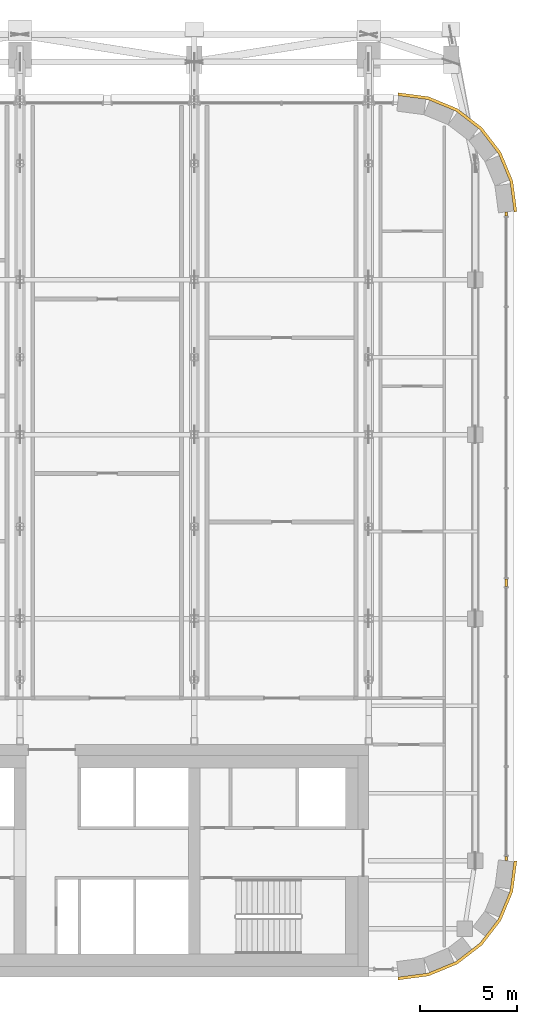
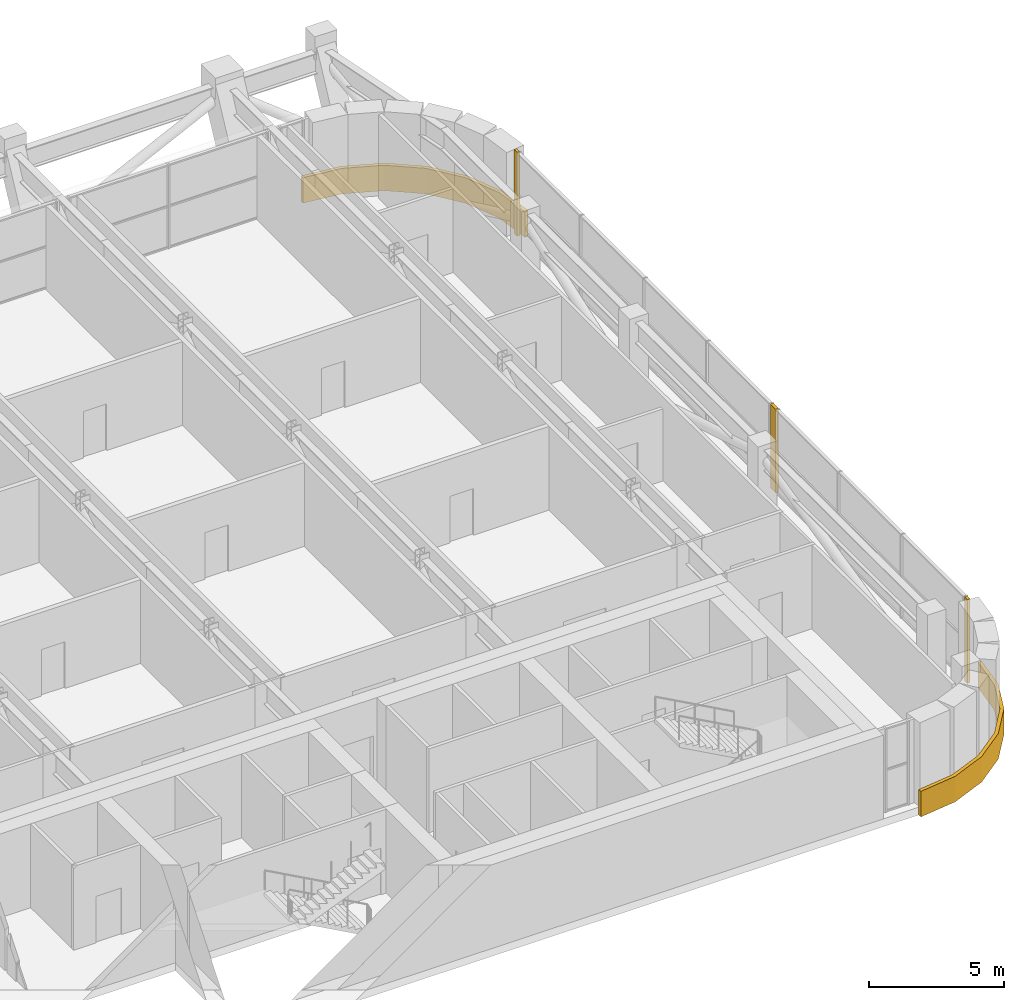
# One storey, part 28 of 28: 5 coverings.
"""IFC4 building model written with IfcOpenShell, lengths in metres."""

import ifcopenshell
import ifcopenshell.guid

model = None  # the IFC model being written
_history = None  # IfcOwnerHistory: only IFC2X3 demands one
_inside = {}  # id of a spatial element -> (the spatial element, [elements in it])
_under = {}  # id of a project, library or spatial element -> (it, [spatial elements below it])
_declared = {}  # id of a project -> (the project, [libraries it declares])
_typed = {}  # id of a type object -> (the type object, [elements of that type])
_made_of = {}  # id of a material, layer set ... -> (it, [elements and type objects made of it])


def new_model(schema):
    """Start an empty IFC model of exactly this schema.

    Asked for "IFC4X3", IfcOpenShell would pick the latest addendum, in which some entities
    have other attributes; the version numbers below select the first issue.
    IFC2X3 requires an IfcOwnerHistory on every rooted entity: one is made here for all.
    """
    global model, _history
    if schema == "IFC4X3":
        model = ifcopenshell.file(schema_version=(4, 3, 0, 0))
    else:
        model = ifcopenshell.file(schema=schema)
    _inside.clear()
    _under.clear()
    _declared.clear()
    _typed.clear()
    _made_of.clear()
    _history = None
    if model.schema == "IFC2X3":
        org = make("IfcOrganization", Name="unknown")
        user = make(
            "IfcPersonAndOrganization",
            ThePerson=make("IfcPerson", FamilyName="unknown"),
            TheOrganization=org,
        )
        app = make(
            "IfcApplication",
            ApplicationDeveloper=org,
            Version="unknown",
            ApplicationFullName="unknown",
            ApplicationIdentifier="unknown",
        )
        _history = make(
            "IfcOwnerHistory",
            OwningUser=user,
            OwningApplication=app,
            ChangeAction="ADDED",
            CreationDate=0,
        )
    return model


def make(cls, **values):
    """One entity of the class cls with the attributes given. An attribute that is None is left unset."""
    return model.create_entity(
        cls, **{name: value for name, value in values.items() if value is not None}
    )


def rooted(cls, **values):
    """An entity with a GlobalId (a new one), such as an element, a storey or a relation."""
    return make(cls, GlobalId=ifcopenshell.guid.new(), OwnerHistory=_history, **values)


def si_unit(unit_type, name, prefix=None):
    """IfcSIUnit, for example si_unit("LENGTHUNIT", "METRE", prefix="MILLI")."""
    return make("IfcSIUnit", UnitType=unit_type, Prefix=prefix, Name=name)


def assignment(units):
    """IfcUnitAssignment: the units of a project."""
    return None if units is None else make("IfcUnitAssignment", Units=units)


def point(xyz):
    """IfcCartesianPoint."""
    return None if xyz is None else make("IfcCartesianPoint", Coordinates=xyz)


def direction(xyz):
    """IfcDirection."""
    return None if xyz is None else make("IfcDirection", DirectionRatios=xyz)


def frame(location, z_axis=None, x_axis=None):
    """IfcAxis2Placement3D, a coordinate frame: its origin and axes. An axis left out is left unset."""
    return make(
        "IfcAxis2Placement3D",
        Location=point(location),
        Axis=direction(z_axis),
        RefDirection=direction(x_axis),
    )


def frame_2d(location, x_axis=None):
    """IfcAxis2Placement2D, a coordinate frame in the plane: its origin and x axis."""
    return make(
        "IfcAxis2Placement2D", Location=point(location), RefDirection=direction(x_axis)
    )


def origin():
    """The frame at (0, 0, 0) with its axes left unset."""
    return frame((0.0, 0.0, 0.0))


def origin_2d():
    """The frame at (0, 0) in the plane with its x axis left unset."""
    return frame_2d((0.0, 0.0))


def place(relative_to, where):
    """IfcLocalPlacement: puts the frame where relative to a parent placement (None: the world)."""
    return make(
        "IfcLocalPlacement", PlacementRelTo=relative_to, RelativePlacement=where
    )


def context(
    kind, dimensions, precision=None, world=None, true_north=None, identifier=None
):
    """IfcGeometricRepresentationContext, for example the 3D "Model" context."""
    return make(
        "IfcGeometricRepresentationContext",
        ContextIdentifier=identifier,
        ContextType=kind,
        CoordinateSpaceDimension=dimensions,
        Precision=precision,
        WorldCoordinateSystem=world,
        TrueNorth=true_north,
    )


def subcontext(parent, identifier, kind, view, scale=None):
    """IfcGeometricRepresentationSubContext, for example "Body" below "Model"."""
    return make(
        "IfcGeometricRepresentationSubContext",
        ContextIdentifier=identifier,
        ContextType=kind,
        ParentContext=parent,
        TargetScale=scale,
        TargetView=view,
    )


def project(units=None, contexts=None):
    """IfcProject with its units and contexts."""
    return rooted(
        "IfcProject",
        Name="project",
        RepresentationContexts=contexts,
        UnitsInContext=assignment(units),
    )


def spatial(cls, under=None, at=None, **own):
    """A site, building, storey or space (cls), placed at a placement, below another one or the project."""
    s = rooted(cls, ObjectPlacement=at, **own)
    if under is not None:
        _under.setdefault(under.id(), (under, []))[1].append(s)
    return s


def polyline(points):
    """IfcPolyline through the points."""
    return make("IfcPolyline", Points=[point(p) for p in points])


def profile(cls, at=None, kind="AREA", **sizes):
    """A parametric profile (cls). Its sizes go by their IFC names, for example OverallWidth=200.0."""
    return make(cls, ProfileType=kind, Position=at, **sizes)


def rectangle(**sizes):
    """IfcRectangleProfileDef."""
    return profile("IfcRectangleProfileDef", **sizes)


def outline(outer, holes=None, kind="AREA"):
    """IfcArbitraryClosedProfileDef: a profile drawn as a closed curve; with holes, ...WithVoids."""
    if holes is None:
        return make("IfcArbitraryClosedProfileDef", ProfileType=kind, OuterCurve=outer)
    return make(
        "IfcArbitraryProfileDefWithVoids",
        ProfileType=kind,
        OuterCurve=outer,
        InnerCurves=holes,
    )


def extrude(swept, where, along, depth):
    """IfcExtrudedAreaSolid: the profile swept, set in the frame where, extruded along a direction by depth."""
    return make(
        "IfcExtrudedAreaSolid",
        SweptArea=swept,
        Position=where,
        ExtrudedDirection=direction(along),
        Depth=depth,
    )


def shape(context_of_items, identifier, shape_type, items):
    """IfcShapeRepresentation: the items that make up one representation, for example the "Body"."""
    return make(
        "IfcShapeRepresentation",
        ContextOfItems=context_of_items,
        RepresentationIdentifier=identifier,
        RepresentationType=shape_type,
        Items=items,
    )


def material(Name=None, Category=None):
    """IfcMaterial."""
    return make("IfcMaterial", Name=Name, Category=Category)


def layer(
    of_material, thickness, ventilated=None, Name=None, Category=None, Priority=None
):
    """IfcMaterialLayer: one layer of a wall or slab, of a material (None: an air gap)."""
    return make(
        "IfcMaterialLayer",
        Material=of_material,
        LayerThickness=thickness,
        IsVentilated=ventilated,
        Name=Name,
        Category=Category,
        Priority=Priority,
    )


def layer_set(layers, Name=None):
    """IfcMaterialLayerSet."""
    return make("IfcMaterialLayerSet", MaterialLayers=layers, LayerSetName=Name)


def made_of(thing, what):
    """Note that an element or type object is made of a material, layer set ...; save() writes the relation."""
    if what is not None:
        _made_of.setdefault(what.id(), (what, []))[1].append(thing)
    return thing


def type_object(cls, material=None, **own):
    """A type object (cls), such as IfcWallType, which elements share."""
    return made_of(rooted(cls, **own), material)


def element(
    cls,
    number,
    at=None,
    inside=None,
    cuts=None,
    type_object=None,
    material=None,
    context=None,
    identifier="Body",
    shape_type=None,
    held_by="IfcProductDefinitionShape",
    body=None,
    shapes=None,
    **own,
):
    """One element of the class cls, such as IfcWall. Its Tag is "e" and its number.

    at: its placement. inside: the storey or other place that contains it. cuts: it is an
    opening in that element (IfcRelVoidsElement). A single representation is given by context,
    identifier, shape_type and body (its items); several are given by shapes. held_by: the class
    of the entity that holds the representations. save() writes the other relations.
    """
    e = rooted(cls, Tag="e%d" % number, ObjectPlacement=at, **own)
    if body is not None:
        shapes = [shape(context, identifier, shape_type, body)]
    if shapes is not None:
        e.Representation = make(held_by, Representations=shapes)
    if inside is not None:
        _inside.setdefault(inside.id(), (inside, []))[1].append(e)
    if cuts is not None:
        rooted(
            "IfcRelVoidsElement", RelatingBuildingElement=cuts, RelatedOpeningElement=e
        )
    if type_object is not None:
        _typed.setdefault(type_object.id(), (type_object, []))[1].append(e)
    return made_of(e, material)


def aggregate(whole, parts):
    """IfcRelAggregates: a whole, such as a stair, and the parts it consists of."""
    return rooted("IfcRelAggregates", RelatingObject=whole, RelatedObjects=parts)


def save(model, path):
    """Write the relations noted so far, then the file.

    IfcRelAggregates (storeys below a building ...), IfcRelContainedInSpatialStructure (elements
    in a storey), IfcRelDefinesByType, IfcRelAssociatesMaterial and IfcRelDeclares: one each for
    every whole, place, type object, material and project.
    """
    for whole, parts in _under.values():
        aggregate(whole, parts)
    for where, things in _inside.values():
        rooted(
            "IfcRelContainedInSpatialStructure",
            RelatedElements=things,
            RelatingStructure=where,
        )
    for kind, things in _typed.values():
        rooted("IfcRelDefinesByType", RelatedObjects=things, RelatingType=kind)
    for what, things in _made_of.values():
        rooted("IfcRelAssociatesMaterial", RelatedObjects=things, RelatingMaterial=what)
    for by, libraries in _declared.values():
        rooted("IfcRelDeclares", RelatingContext=by, RelatedDefinitions=libraries)
    model.write(path)


model = new_model("IFC4")

# Units and contexts
model_context = context("Model", 3, precision=1e-05, world=origin(), true_north=direction((0.0, 1.0)))
body_context = subcontext(model_context, "Body", "Model", "MODEL_VIEW")
ifc_project = project(units=[si_unit("LENGTHUNIT", "METRE"), si_unit("AREAUNIT", "SQUARE_METRE"), si_unit("VOLUMEUNIT", "CUBIC_METRE"), si_unit("PLANEANGLEUNIT", "RADIAN"), si_unit("MASSUNIT", "GRAM", prefix="KILO")], contexts=[model_context])

# Site, building, storey
site_placement = place(None, origin())
site = spatial("IfcSite", under=ifc_project, at=site_placement, CompositionType="ELEMENT")
building_placement = place(site_placement, origin())
building = spatial("IfcBuilding", under=site, at=building_placement, Name="Zellij Exchange Tower", CompositionType="ELEMENT")
storey_placement = place(building_placement, frame((0.0, 0.0, 268.5)))
storey = spatial("IfcBuildingStorey", under=building, at=storey_placement, Name="L63", CompositionType="ELEMENT", Elevation=268.5)

# Coverings
ifc_material = material(Name="Limestone cladding", Category="masonry")
ifc_layer_1 = layer(ifc_material, 0.14990234375)
ifc_layer_set_1 = layer_set([ifc_layer_1], Name="Limestone cladding")
covering_type_1 = type_object("IfcCoveringType", Name="ENV-CV1 Stone spandrel band 150", PredefinedType="CLADDING", material=ifc_layer_set_1)
covering_1_placement = place(storey_placement, frame((0.0, 0.0, -0.35009765625)))
element("IfcCovering", 1, at=covering_1_placement, inside=storey, type_object=covering_type_1, Name="Stone spandrel band", PredefinedType="CLADDING", context=body_context, shape_type="SweptSolid", body=[
    extrude(outline(polyline([(28.5, -14.0), (30.052978515625, -13.795654296875), (31.5, -13.1962890625), (32.74267578125, -12.24267578125), (33.6962890625, -11.0), (34.295654296875, -9.552978515625), (34.5, -8.0), (34.64990234375, -8.009765625), (34.441650390625, -9.592041015625), (33.8271484375, -11.07568359375), (32.849609375, -12.349609375), (31.57568359375, -13.3271484375), (30.092041015625, -13.941650390625), (28.509765625, -14.14990234375), (28.5, -14.0)])), origin(), (0.0, 0.0, 1.0), 1.150146484375),
])
covering_2_placement = place(storey_placement, frame((0.0, 0.0, -0.35009765625)))
element("IfcCovering", 2, at=covering_2_placement, inside=storey, type_object=covering_type_1, Name="Stone spandrel band", PredefinedType="CLADDING", context=body_context, shape_type="SweptSolid", body=[
    extrude(outline(polyline([(34.5, 25.5), (34.295654296875, 27.052978515625), (33.6962890625, 28.5), (32.74267578125, 29.74267578125), (31.5, 30.6962890625), (30.052978515625, 31.295654296875), (28.5, 31.5), (28.509765625, 31.64990234375), (30.092041015625, 31.441650390625), (31.57568359375, 30.8271484375), (32.849609375, 29.849609375), (33.8271484375, 28.57568359375), (34.441650390625, 27.092041015625), (34.64990234375, 25.509765625), (34.5, 25.5)])), origin(), (0.0, 0.0, 1.0), 1.150146484375),
])
ifc_layer_2 = layer(ifc_material, 0.1201171875)
ifc_layer_set_2 = layer_set([ifc_layer_2], Name="Limestone cladding")
covering_type_2 = type_object("IfcCoveringType", Name="ENV-CV18 Glazing closer 120", PredefinedType="CLADDING", material=ifc_layer_set_2)
covering_3_placement = place(storey_placement, frame((34.10009765625, 6.36083984375, 0.0), z_axis=(0.0, 0.0, 1.0), x_axis=(0.0, 1.0, 0.0)))
element("IfcCovering", 3, at=covering_3_placement, inside=storey, type_object=covering_type_2, Name="Glazing closer", PredefinedType="CLADDING", context=body_context, shape_type="SweptSolid", body=[
    extrude(rectangle(XDim=0.39990234375, YDim=0.1201171875, at=origin_2d()), origin(), (0.0, 0.0, 1.0), 3.780029296875),
])
for number, where, z_axis, x_axis, name in (
    (4, (34.10009765625, 25.383056640625, 0.0), (0.0, 0.0, 1.0), (0.0, 1.0, 0.0), "Glazing closer"),
    (5, (34.10009765625, -7.883056640625, 0.0), (0.0, 0.0, 1.0), (0.0, -1.0, 0.0), "Glazing closer"),
):
    element("IfcCovering", number, at=place(storey_placement, frame(where, z_axis=z_axis, x_axis=x_axis)), inside=storey, type_object=covering_type_2, Name=name, PredefinedType="CLADDING", context=body_context, shape_type="SweptSolid", body=[
        extrude(rectangle(XDim=0.218505859375, YDim=0.1201171875, at=origin_2d()), origin(), (0.0, 0.0, 1.0), 3.780029296875),
    ])

save(model, "model.ifc")
